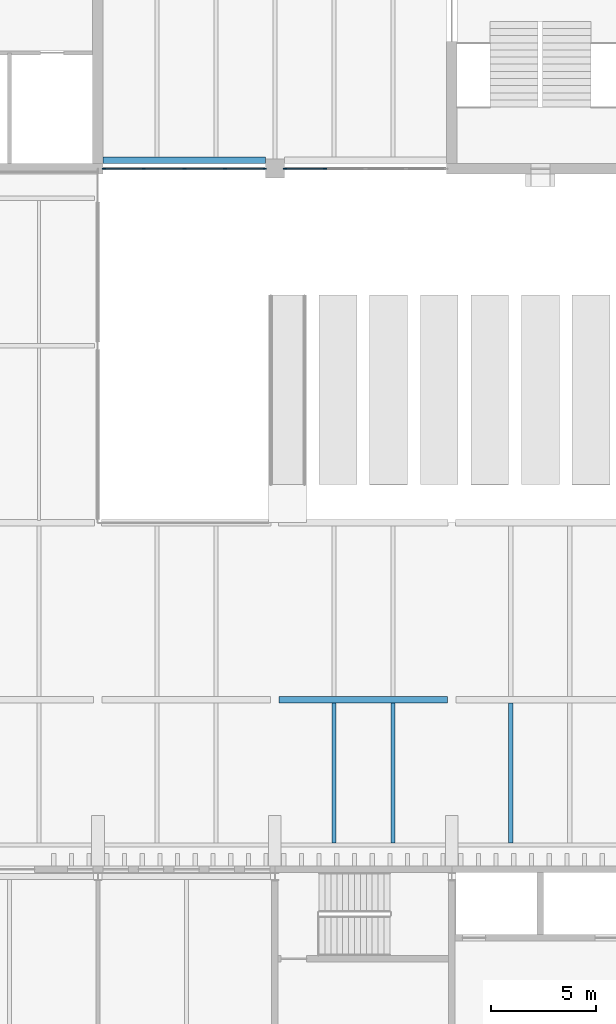
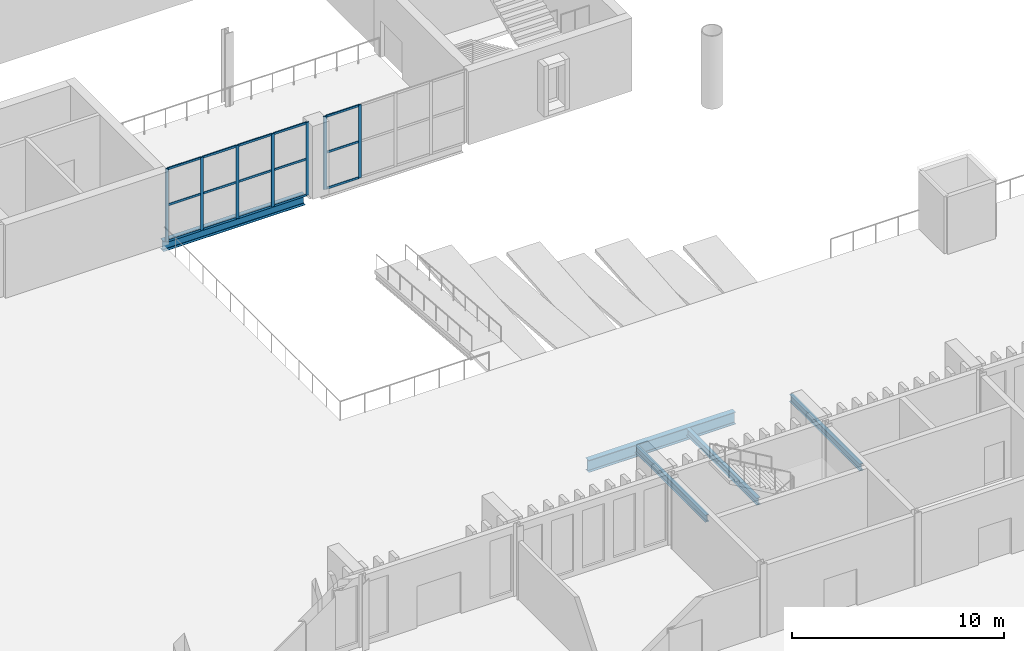
# One storey, part 30 of 96: 22 members, 5 beams, 2 elements without a shape of their own.
"""IFC4 building model written with IfcOpenShell, lengths in metres."""

from ifc_helpers import new_model, si_unit, direction, frame, origin, origin_2d, place, context, subcontext, project, spatial, rectangle, i_section, extrude, material, layer, layer_set, material_profile, profile_set, type_object, element, aggregate, save


model = new_model("IFC4")

# Units and contexts
model_context = context("Model", 3, precision=1e-05, world=origin(), true_north=direction((0.0, 1.0)))
body_context = subcontext(model_context, "Body", "Model", "MODEL_VIEW")
ifc_project = project(units=[si_unit("LENGTHUNIT", "METRE"), si_unit("AREAUNIT", "SQUARE_METRE"), si_unit("VOLUMEUNIT", "CUBIC_METRE"), si_unit("PLANEANGLEUNIT", "RADIAN"), si_unit("MASSUNIT", "GRAM", prefix="KILO")], contexts=[model_context])

# Site, building, storey
site_placement = place(None, origin())
site = spatial("IfcSite", under=ifc_project, at=site_placement, CompositionType="ELEMENT")
building_placement = place(site_placement, origin())
building = spatial("IfcBuilding", under=site, at=building_placement, Name="Cresset Court Congress Hotel", CompositionType="ELEMENT")
storey_placement = place(building_placement, frame((0.0, 0.0, 6.0)))
storey = spatial("IfcBuildingStorey", under=building, at=storey_placement, Name="L01", CompositionType="ELEMENT", Elevation=6.0)

# Curtain wall, members
ifc_material_1 = material(Name="Aluminium and glass", Category="aluminium")
ifc_layer = layer(ifc_material_1, 0.199951171875)
ifc_layer_set = layer_set([ifc_layer], Name="Foyer curtain wall 1925 module")
curtain_wall_type = type_object("IfcCurtainWallType", Name="Foyer curtain wall 1925 module", PredefinedType="NOTDEFINED", material=ifc_layer_set)
curtain_wall_1_placement = place(storey_placement, origin())
curtain_wall_1 = element("IfcCurtainWall", 1, at=curtain_wall_1_placement, inside=storey, type_object=curtain_wall_type, Name="Curtain wall CX-013", PredefinedType="NOTDEFINED")
ifc_material_2 = material(Name="Anodised aluminium", Category="aluminium")
ifc_material_profile_1 = material_profile(ifc_material_2, rectangle(XDim=0.06005859375, YDim=0.159912109375, at=origin_2d()), Name="AL60x160")
ifc_profile_set_1 = profile_set([ifc_material_profile_1], Name="Anodised aluminium")
member_type_1 = type_object("IfcMemberType", Name="Curtain wall mullion 60x160", PredefinedType="MULLION", material=ifc_profile_set_1)
member_1_placement = place(storey_placement, frame((92.679931640625, 58.800048828125, 0.0), z_axis=(0.0, 0.0, 1.0), x_axis=(0.0, 1.0, 0.0)))
member_1 = element("IfcMember", 2, at=member_1_placement, type_object=member_type_1, Name="C-X1 mullion 1", PredefinedType="MULLION", context=body_context, shape_type="SweptSolid", body=[
    extrude(rectangle(XDim=0.06005859375, YDim=0.159912109375, at=origin_2d()), origin(), (0.0, 0.0, 1.0), 4.199951171875),
])
member_2_placement = place(storey_placement, frame((94.574951171875, 58.800048828125, 0.0), z_axis=(0.0, 0.0, 1.0), x_axis=(0.0, 1.0, 0.0)))
member_2 = element("IfcMember", 3, at=member_2_placement, type_object=member_type_1, Name="C-X1 mullion 2", PredefinedType="MULLION", context=body_context, shape_type="SweptSolid", body=[
    extrude(rectangle(XDim=0.06005859375, YDim=0.159912109375, at=origin_2d()), origin(), (0.0, 0.0, 1.0), 4.199951171875),
])
member_3_placement = place(storey_placement, frame((96.5, 58.800048828125, 0.0), z_axis=(0.0, 0.0, 1.0), x_axis=(0.0, 1.0, 0.0)))
member_3 = element("IfcMember", 4, at=member_3_placement, type_object=member_type_1, Name="C-X1 mullion 3", PredefinedType="MULLION", context=body_context, shape_type="SweptSolid", body=[
    extrude(rectangle(XDim=0.06005859375, YDim=0.159912109375, at=origin_2d()), origin(), (0.0, 0.0, 1.0), 4.199951171875),
])
member_4_placement = place(storey_placement, frame((98.425048828125, 58.800048828125, 0.0), z_axis=(0.0, 0.0, 1.0), x_axis=(0.0, 1.0, 0.0)))
member_4 = element("IfcMember", 5, at=member_4_placement, type_object=member_type_1, Name="C-X1 mullion 4", PredefinedType="MULLION", context=body_context, shape_type="SweptSolid", body=[
    extrude(rectangle(XDim=0.06005859375, YDim=0.159912109375, at=origin_2d()), origin(), (0.0, 0.0, 1.0), 4.199951171875),
])
member_5_placement = place(storey_placement, frame((100.320068359375, 58.800048828125, 0.0), z_axis=(0.0, 0.0, 1.0), x_axis=(0.0, 1.0, 0.0)))
member_5 = element("IfcMember", 6, at=member_5_placement, type_object=member_type_1, Name="C-X1 mullion 5", PredefinedType="MULLION", context=body_context, shape_type="SweptSolid", body=[
    extrude(rectangle(XDim=0.06005859375, YDim=0.159912109375, at=origin_2d()), origin(), (0.0, 0.0, 1.0), 4.199951171875),
])

curtain_wall_2_placement = place(storey_placement, origin())
curtain_wall_2 = element("IfcCurtainWall", 7, at=curtain_wall_2_placement, inside=storey, type_object=curtain_wall_type, Name="Curtain wall CX-014", PredefinedType="NOTDEFINED")
member_6_placement = place(storey_placement, frame((101.280029296875, 58.800048828125, 0.0), z_axis=(0.0, 0.0, 1.0), x_axis=(0.0, 1.0, 0.0)))
member_6 = element("IfcMember", 8, at=member_6_placement, type_object=member_type_1, Name="C-X1 mullion 1", PredefinedType="MULLION", context=body_context, shape_type="SweptSolid", body=[
    extrude(rectangle(XDim=0.06005859375, YDim=0.159912109375, at=origin_2d()), origin(), (0.0, 0.0, 1.0), 4.199951171875),
])
member_7_placement = place(storey_placement, frame((103.175048828125, 58.800048828125, 0.0), z_axis=(0.0, 0.0, 1.0), x_axis=(0.0, 1.0, 0.0)))
member_7 = element("IfcMember", 9, at=member_7_placement, type_object=member_type_1, Name="C-X1 mullion 2", PredefinedType="MULLION", context=body_context, shape_type="SweptSolid", body=[
    extrude(rectangle(XDim=0.06005859375, YDim=0.159912109375, at=origin_2d()), origin(), (0.0, 0.0, 1.0), 4.199951171875),
])

# Member
ifc_material_3 = material(Name="Anodised aluminium", Category="aluminium")
ifc_material_profile_2 = material_profile(ifc_material_3, rectangle(XDim=0.06005859375, YDim=0.1201171875, at=origin_2d()), Name="AL60x120")
ifc_profile_set_2 = profile_set([ifc_material_profile_2], Name="Anodised aluminium")
member_type_2 = type_object("IfcMemberType", Name="Curtain wall transom 60x120", PredefinedType="USERDEFINED", material=ifc_profile_set_2)
member_8_placement = place(storey_placement, frame((92.7099609375, 58.800048828125, 0.030029296875), z_axis=(1.0, 0.0, 0.0), x_axis=(0.0, 1.0, 0.0)))
member_8 = element("IfcMember", 10, at=member_8_placement, type_object=member_type_2, Name="C-X1 transom 1.1", ObjectType="TRANSOM", PredefinedType="USERDEFINED", context=body_context, shape_type="SweptSolid", body=[
    extrude(rectangle(XDim=0.06005859375, YDim=0.1201171875, at=origin_2d()), origin(), (0.0, 0.0, 1.0), 1.8349609375),
])

member_9_placement = place(storey_placement, frame((92.7099609375, 58.800048828125, 2.10009765625), z_axis=(1.0, 0.0, 0.0), x_axis=(0.0, 1.0, 0.0)))
member_9 = element("IfcMember", 11, at=member_9_placement, type_object=member_type_2, Name="C-X1 transom 1.2", ObjectType="TRANSOM", PredefinedType="USERDEFINED", context=body_context, shape_type="SweptSolid", body=[
    extrude(rectangle(XDim=0.06005859375, YDim=0.1201171875, at=origin_2d()), origin(), (0.0, 0.0, 1.0), 1.8349609375),
])

member_10_placement = place(storey_placement, frame((92.7099609375, 58.800048828125, 4.169921875), z_axis=(1.0, 0.0, 0.0), x_axis=(0.0, 1.0, 0.0)))
member_10 = element("IfcMember", 12, at=member_10_placement, type_object=member_type_2, Name="C-X1 transom 1.3", ObjectType="TRANSOM", PredefinedType="USERDEFINED", context=body_context, shape_type="SweptSolid", body=[
    extrude(rectangle(XDim=0.06005859375, YDim=0.1201171875, at=origin_2d()), origin(), (0.0, 0.0, 1.0), 1.8349609375),
])

member_11_placement = place(storey_placement, frame((94.60498046875, 58.800048828125, 0.030029296875), z_axis=(1.0, 0.0, 0.0), x_axis=(0.0, 1.0, 0.0)))
member_11 = element("IfcMember", 13, at=member_11_placement, type_object=member_type_2, Name="C-X1 transom 2.1", ObjectType="TRANSOM", PredefinedType="USERDEFINED", context=body_context, shape_type="SweptSolid", body=[
    extrude(rectangle(XDim=0.06005859375, YDim=0.1201171875, at=origin_2d()), origin(), (0.0, 0.0, 1.0), 1.864990234375),
])

member_12_placement = place(storey_placement, frame((94.60498046875, 58.800048828125, 2.10009765625), z_axis=(1.0, 0.0, 0.0), x_axis=(0.0, 1.0, 0.0)))
member_12 = element("IfcMember", 14, at=member_12_placement, type_object=member_type_2, Name="C-X1 transom 2.2", ObjectType="TRANSOM", PredefinedType="USERDEFINED", context=body_context, shape_type="SweptSolid", body=[
    extrude(rectangle(XDim=0.06005859375, YDim=0.1201171875, at=origin_2d()), origin(), (0.0, 0.0, 1.0), 1.864990234375),
])

member_13_placement = place(storey_placement, frame((94.60498046875, 58.800048828125, 4.169921875), z_axis=(1.0, 0.0, 0.0), x_axis=(0.0, 1.0, 0.0)))
member_13 = element("IfcMember", 15, at=member_13_placement, type_object=member_type_2, Name="C-X1 transom 2.3", ObjectType="TRANSOM", PredefinedType="USERDEFINED", context=body_context, shape_type="SweptSolid", body=[
    extrude(rectangle(XDim=0.06005859375, YDim=0.1201171875, at=origin_2d()), origin(), (0.0, 0.0, 1.0), 1.864990234375),
])

member_14_placement = place(storey_placement, frame((96.530029296875, 58.800048828125, 0.030029296875), z_axis=(1.0, 0.0, 0.0), x_axis=(0.0, 1.0, 0.0)))
member_14 = element("IfcMember", 16, at=member_14_placement, type_object=member_type_2, Name="C-X1 transom 3.1", ObjectType="TRANSOM", PredefinedType="USERDEFINED", context=body_context, shape_type="SweptSolid", body=[
    extrude(rectangle(XDim=0.06005859375, YDim=0.1201171875, at=origin_2d()), origin(), (0.0, 0.0, 1.0), 1.864990234375),
])

member_15_placement = place(storey_placement, frame((96.530029296875, 58.800048828125, 2.10009765625), z_axis=(1.0, 0.0, 0.0), x_axis=(0.0, 1.0, 0.0)))
member_15 = element("IfcMember", 17, at=member_15_placement, type_object=member_type_2, Name="C-X1 transom 3.2", ObjectType="TRANSOM", PredefinedType="USERDEFINED", context=body_context, shape_type="SweptSolid", body=[
    extrude(rectangle(XDim=0.06005859375, YDim=0.1201171875, at=origin_2d()), origin(), (0.0, 0.0, 1.0), 1.864990234375),
])

member_16_placement = place(storey_placement, frame((96.530029296875, 58.800048828125, 4.169921875), z_axis=(1.0, 0.0, 0.0), x_axis=(0.0, 1.0, 0.0)))
member_16 = element("IfcMember", 18, at=member_16_placement, type_object=member_type_2, Name="C-X1 transom 3.3", ObjectType="TRANSOM", PredefinedType="USERDEFINED", context=body_context, shape_type="SweptSolid", body=[
    extrude(rectangle(XDim=0.06005859375, YDim=0.1201171875, at=origin_2d()), origin(), (0.0, 0.0, 1.0), 1.864990234375),
])

member_17_placement = place(storey_placement, frame((98.455078125, 58.800048828125, 0.030029296875), z_axis=(1.0, 0.0, 0.0), x_axis=(0.0, 1.0, 0.0)))
member_17 = element("IfcMember", 19, at=member_17_placement, type_object=member_type_2, Name="C-X1 transom 4.1", ObjectType="TRANSOM", PredefinedType="USERDEFINED", context=body_context, shape_type="SweptSolid", body=[
    extrude(rectangle(XDim=0.06005859375, YDim=0.1201171875, at=origin_2d()), origin(), (0.0, 0.0, 1.0), 1.8349609375),
])

member_18_placement = place(storey_placement, frame((98.455078125, 58.800048828125, 2.10009765625), z_axis=(1.0, 0.0, 0.0), x_axis=(0.0, 1.0, 0.0)))
member_18 = element("IfcMember", 20, at=member_18_placement, type_object=member_type_2, Name="C-X1 transom 4.2", ObjectType="TRANSOM", PredefinedType="USERDEFINED", context=body_context, shape_type="SweptSolid", body=[
    extrude(rectangle(XDim=0.06005859375, YDim=0.1201171875, at=origin_2d()), origin(), (0.0, 0.0, 1.0), 1.8349609375),
])

member_19_placement = place(storey_placement, frame((98.455078125, 58.800048828125, 4.169921875), z_axis=(1.0, 0.0, 0.0), x_axis=(0.0, 1.0, 0.0)))
member_19 = element("IfcMember", 21, at=member_19_placement, type_object=member_type_2, Name="C-X1 transom 4.3", ObjectType="TRANSOM", PredefinedType="USERDEFINED", context=body_context, shape_type="SweptSolid", body=[
    extrude(rectangle(XDim=0.06005859375, YDim=0.1201171875, at=origin_2d()), origin(), (0.0, 0.0, 1.0), 1.8349609375),
])

aggregate(curtain_wall_1, [member_1, member_2, member_3, member_4, member_5, member_8, member_9, member_10, member_11, member_12, member_13, member_14, member_15, member_16, member_17, member_18, member_19])

member_20_placement = place(storey_placement, frame((101.31005859375, 58.800048828125, 0.030029296875), z_axis=(1.0, 0.0, 0.0), x_axis=(0.0, 1.0, 0.0)))
member_20 = element("IfcMember", 22, at=member_20_placement, type_object=member_type_2, Name="C-X1 transom 1.1", ObjectType="TRANSOM", PredefinedType="USERDEFINED", context=body_context, shape_type="SweptSolid", body=[
    extrude(rectangle(XDim=0.06005859375, YDim=0.1201171875, at=origin_2d()), origin(), (0.0, 0.0, 1.0), 1.8349609375),
])

member_21_placement = place(storey_placement, frame((101.31005859375, 58.800048828125, 2.10009765625), z_axis=(1.0, 0.0, 0.0), x_axis=(0.0, 1.0, 0.0)))
member_21 = element("IfcMember", 23, at=member_21_placement, type_object=member_type_2, Name="C-X1 transom 1.2", ObjectType="TRANSOM", PredefinedType="USERDEFINED", context=body_context, shape_type="SweptSolid", body=[
    extrude(rectangle(XDim=0.06005859375, YDim=0.1201171875, at=origin_2d()), origin(), (0.0, 0.0, 1.0), 1.8349609375),
])

member_22_placement = place(storey_placement, frame((101.31005859375, 58.800048828125, 4.169921875), z_axis=(1.0, 0.0, 0.0), x_axis=(0.0, 1.0, 0.0)))
member_22 = element("IfcMember", 24, at=member_22_placement, type_object=member_type_2, Name="C-X1 transom 1.3", ObjectType="TRANSOM", PredefinedType="USERDEFINED", context=body_context, shape_type="SweptSolid", body=[
    extrude(rectangle(XDim=0.06005859375, YDim=0.1201171875, at=origin_2d()), origin(), (0.0, 0.0, 1.0), 1.8349609375),
])

aggregate(curtain_wall_2, [member_6, member_7, member_20, member_21, member_22])

# Beams
ifc_material_4 = material(Name="Structural steel Q355B", Category="steel")
ifc_material_profile_3 = material_profile(ifc_material_4, i_section(OverallWidth=0.300048828125, OverallDepth=0.587890625, WebThickness=0.011962890625, FlangeThickness=0.02001953125, FilletRadius=0.028076171875, at=origin_2d()), Name="HM588x300x12x20")
ifc_profile_set_3 = profile_set([ifc_material_profile_3], Name="Structural steel Q355B")
beam_type_1 = type_object("IfcBeamType", Name="Steel HM588x300x12x20 girder", PredefinedType="BEAM", material=ifc_profile_set_3)
beam_1_placement = place(storey_placement, frame((92.64990234375, 59.199951171875, -0.444091796875), z_axis=(1.0, 0.0, 0.0), x_axis=(0.0, 1.0, 0.0)))
element("IfcBeam", 25, at=beam_1_placement, inside=storey, type_object=beam_type_1, Name="Girder CG-F017", PredefinedType="BEAM", context=body_context, shape_type="SweptSolid", body=[
    extrude(i_section(OverallWidth=0.300048828125, OverallDepth=0.587890625, WebThickness=0.011962890625, FlangeThickness=0.02001953125, FilletRadius=0.028076171875, at=origin_2d()), origin(), (0.0, 0.0, 1.0), 7.7001953125),
])
ifc_material_5 = material(Name="Structural steel Q355B", Category="steel")
ifc_material_profile_4 = material_profile(ifc_material_5, i_section(OverallWidth=0.199951171875, OverallDepth=0.39990234375, WebThickness=0.008056640625, FlangeThickness=0.012939453125, FilletRadius=0.01611328125, at=origin_2d()), Name="HN400x200x8x13")
ifc_profile_set_4 = profile_set([ifc_material_profile_4], Name="Structural steel Q355B")
beam_type_2 = type_object("IfcBeamType", Name="Steel beam HN400x200x8x13", PredefinedType="BEAM", material=ifc_profile_set_4)
for number, where, z_axis, x_axis, name in (
    (26, (103.60009765625, 26.800048828125, -0.35009765625), (0.0, 1.0, 0.0), (-1.0, 0.0, 0.0), "S.dbm.L01.S045"),
    (27, (106.39990234375, 26.800048828125, -0.35009765625), (0.0, 1.0, 0.0), (-1.0, 0.0, 0.0), "S.dbm.L01.S047"),
    (28, (112.0, 26.800048828125, -0.35009765625), (0.0, 1.0, 0.0), (-1.0, 0.0, 0.0), "S.dbm.L01.S049"),
):
    element("IfcBeam", number, at=place(storey_placement, frame(where, z_axis=z_axis, x_axis=x_axis)), inside=storey, type_object=beam_type_2, Name=name, PredefinedType="BEAM", context=body_context, shape_type="SweptSolid", body=[
        extrude(i_section(OverallWidth=0.199951171875, OverallDepth=0.39990234375, WebThickness=0.008056640625, FlangeThickness=0.012939453125, FilletRadius=0.01611328125, at=origin_2d()), origin(), (0.0, 0.0, 1.0), 6.64990234375),
    ])
ifc_material_6 = material(Name="Structural steel Q355B", Category="steel")
ifc_material_profile_5 = material_profile(ifc_material_6, i_section(OverallWidth=0.300048828125, OverallDepth=0.699951171875, WebThickness=0.012939453125, FlangeThickness=0.02392578125, FilletRadius=0.01806640625, at=origin_2d()), Name="HN700x300x13x24")
ifc_profile_set_5 = profile_set([ifc_material_profile_5], Name="Structural steel Q355B")
beam_type_3 = type_object("IfcBeamType", Name="Steel beam HN700x300x13x24", PredefinedType="BEAM", material=ifc_profile_set_5)
beam_2_placement = place(storey_placement, frame((101.0, 33.60009765625, -0.5), z_axis=(1.0, 0.0, 0.0), x_axis=(0.0, 1.0, 0.0)))
element("IfcBeam", 29, at=beam_2_placement, inside=storey, type_object=beam_type_3, Name="S.dbm.L01.P030", PredefinedType="BEAM", context=body_context, shape_type="SweptSolid", body=[
    extrude(i_section(OverallWidth=0.300048828125, OverallDepth=0.699951171875, WebThickness=0.012939453125, FlangeThickness=0.02392578125, FilletRadius=0.01806640625, at=origin_2d()), origin(), (0.0, 0.0, 1.0), 8.0),
])

save(model, "model.ifc")
